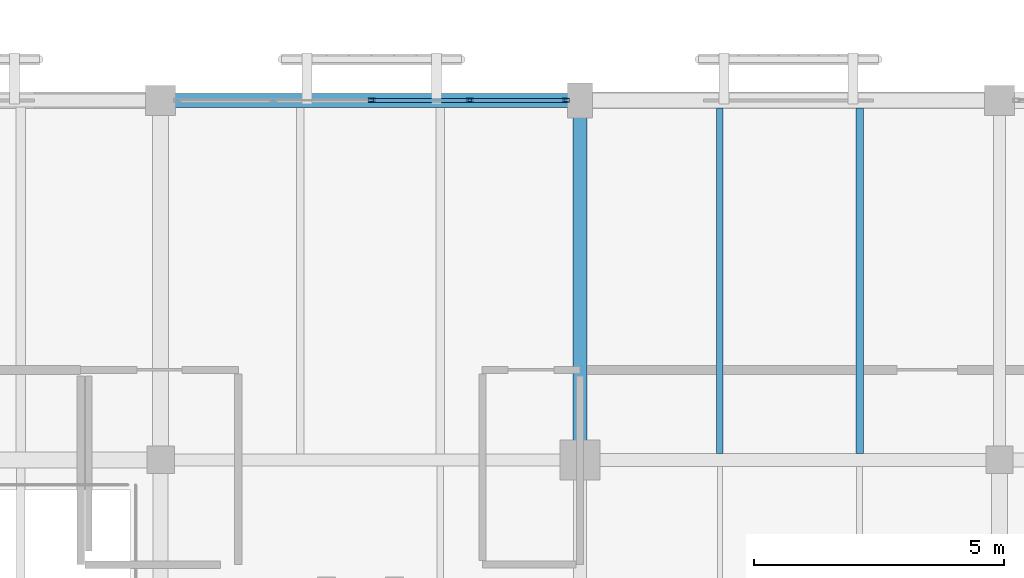
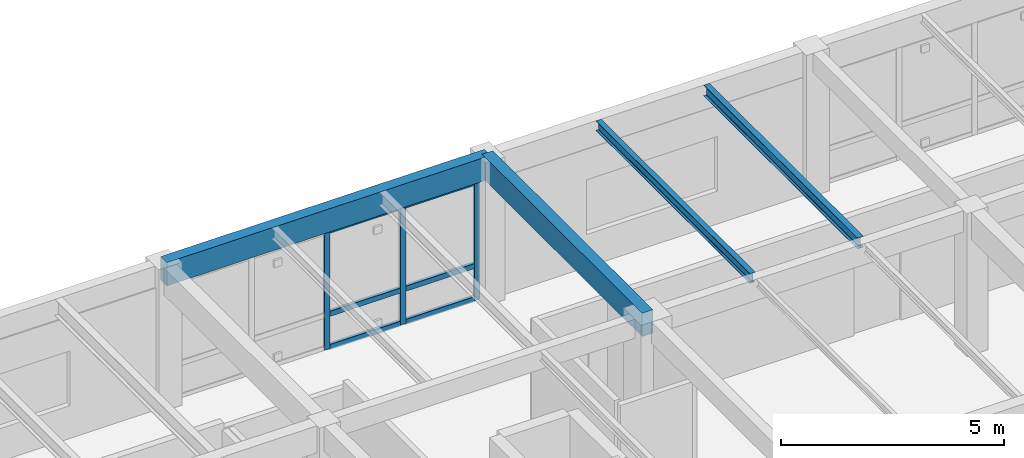
# One storey, part 52 of 170: 9 members, 4 beams, 1 element without a shape of its own.
"""IFC4 building model written with IfcOpenShell, lengths in metres."""

from ifc_helpers import new_model, si_unit, direction, frame, origin, origin_2d, place, context, subcontext, project, spatial, rectangle, hollow_rectangle, i_section, extrude, material, layer, layer_set, material_profile, profile_set, type_object, element, aggregate, save


model = new_model("IFC4")

# Units and contexts
model_context = context("Model", 3, precision=1e-05, world=origin(), true_north=direction((0.0, 1.0)))
body_context = subcontext(model_context, "Body", "Model", "MODEL_VIEW")
ifc_project = project(units=[si_unit("LENGTHUNIT", "METRE"), si_unit("AREAUNIT", "SQUARE_METRE"), si_unit("VOLUMEUNIT", "CUBIC_METRE"), si_unit("PLANEANGLEUNIT", "RADIAN"), si_unit("MASSUNIT", "GRAM", prefix="KILO")], contexts=[model_context])

# Site, building, storey
site_placement = place(None, origin())
site = spatial("IfcSite", under=ifc_project, at=site_placement, CompositionType="ELEMENT")
building_placement = place(site_placement, origin())
building = spatial("IfcBuilding", under=site, at=building_placement, Name="Mazaris Harbour Polytechnic", CompositionType="ELEMENT")
storey_placement = place(building_placement, frame((0.0, 0.0, 5.39990234375)))
storey = spatial("IfcBuildingStorey", under=building, at=storey_placement, Name="L01", CompositionType="ELEMENT", Elevation=5.39990234375)

# Curtain wall, members
ifc_material_1 = material(Name="Anodised Bronze Aluminium and Low-E Glass", Category="aluminium")
ifc_layer = layer(ifc_material_1, 0.159912109375, Name="Anodised Bronze Aluminium and Low-E Glass")
ifc_layer_set = layer_set([ifc_layer], Name="Anodised Bronze Aluminium and Low-E Glass")
curtain_wall_type = type_object("IfcCurtainWallType", Name="Cloister Court Curtain Wall", PredefinedType="NOTDEFINED", material=ifc_layer_set)
curtain_wall_placement = place(storey_placement, origin())
curtain_wall = element("IfcCurtainWall", 1, at=curtain_wall_placement, inside=storey, type_object=curtain_wall_type, Name="V3 L01 Curtain Wall 76", PredefinedType="NOTDEFINED")
ifc_material_2 = material(Name="Anodised Bronze Steel S355", Category="steel")
ifc_material_profile_1 = material_profile(ifc_material_2, hollow_rectangle(XDim=0.080078125, YDim=0.139892578125, WallThickness=0.00634765625, at=origin_2d()), Name="RHS 80x140x6.3")
ifc_profile_set_1 = profile_set([ifc_material_profile_1], Name="Anodised Bronze Steel S355")
member_type_1 = type_object("IfcMemberType", Name="Curtain Mullion RHS80x140", PredefinedType="MULLION", material=ifc_profile_set_1)
member_1_placement = place(storey_placement, frame((75.02490234375, 36.0, 0.0), z_axis=(0.0, 0.0, 1.0), x_axis=(0.0, 1.0, 0.0)))
member_1 = element("IfcMember", 2, at=member_1_placement, type_object=member_type_1, Name="CW-02 mullion 3", PredefinedType="MULLION", context=body_context, shape_type="SweptSolid", body=[
    extrude(hollow_rectangle(XDim=0.080078125, YDim=0.139892578125, WallThickness=0.00634765625, at=origin_2d()), origin(), (0.0, 0.0, 1.0), 3.27001953125),
])
member_2_placement = place(storey_placement, frame((76.991455078125, 36.0, 0.0), z_axis=(0.0, 0.0, 1.0), x_axis=(0.0, 1.0, 0.0)))
member_2 = element("IfcMember", 3, at=member_2_placement, type_object=member_type_1, Name="CW-02 mullion 4", PredefinedType="MULLION", context=body_context, shape_type="SweptSolid", body=[
    extrude(hollow_rectangle(XDim=0.080078125, YDim=0.139892578125, WallThickness=0.00634765625, at=origin_2d()), origin(), (0.0, 0.0, 1.0), 3.27001953125),
])
member_3_placement = place(storey_placement, frame((78.91796875, 36.0, 0.0), z_axis=(0.0, 0.0, 1.0), x_axis=(0.0, 1.0, 0.0)))
member_3 = element("IfcMember", 4, at=member_3_placement, type_object=member_type_1, Name="CW-02 mullion 5", PredefinedType="MULLION", context=body_context, shape_type="SweptSolid", body=[
    extrude(hollow_rectangle(XDim=0.080078125, YDim=0.139892578125, WallThickness=0.00634765625, at=origin_2d()), origin(), (0.0, 0.0, 1.0), 3.27001953125),
])
ifc_material_3 = material(Name="Anodised Bronze Steel S355", Category="steel")
ifc_material_profile_2 = material_profile(ifc_material_3, hollow_rectangle(XDim=0.080078125, YDim=0.139892578125, WallThickness=0.00634765625, at=origin_2d()), Name="RHS 80x140x6.3")
ifc_profile_set_2 = profile_set([ifc_material_profile_2], Name="Anodised Bronze Steel S355")
member_type_2 = type_object("IfcMemberType", Name="Curtain Transom RHS80x140", PredefinedType="USERDEFINED", material=ifc_profile_set_2)
member_4_placement = place(storey_placement, frame((75.06494140625, 36.0, 0.0400390625), z_axis=(1.0, 0.0, 0.0), x_axis=(0.0, 1.0, 0.0)))
member_4 = element("IfcMember", 5, at=member_4_placement, type_object=member_type_2, Name="CW-02 transom 3.1", ObjectType="TRANSOM", PredefinedType="USERDEFINED", context=body_context, shape_type="SweptSolid", body=[
    extrude(hollow_rectangle(XDim=0.080078125, YDim=0.139892578125, WallThickness=0.00634765625, at=origin_2d()), origin(), (0.0, 0.0, 1.0), 1.886474609375),
])
member_5_placement = place(storey_placement, frame((75.06494140625, 36.0, 0.9501953125), z_axis=(1.0, 0.0, 0.0), x_axis=(0.0, 1.0, 0.0)))
member_5 = element("IfcMember", 6, at=member_5_placement, type_object=member_type_2, Name="CW-02 transom 3.2", ObjectType="TRANSOM", PredefinedType="USERDEFINED", context=body_context, shape_type="SweptSolid", body=[
    extrude(hollow_rectangle(XDim=0.080078125, YDim=0.139892578125, WallThickness=0.00634765625, at=origin_2d()), origin(), (0.0, 0.0, 1.0), 1.886474609375),
])
member_6_placement = place(storey_placement, frame((75.06494140625, 36.0, 3.22998046875), z_axis=(1.0, 0.0, 0.0), x_axis=(0.0, 1.0, 0.0)))
member_6 = element("IfcMember", 7, at=member_6_placement, type_object=member_type_2, Name="CW-02 transom 3.3", ObjectType="TRANSOM", PredefinedType="USERDEFINED", context=body_context, shape_type="SweptSolid", body=[
    extrude(hollow_rectangle(XDim=0.080078125, YDim=0.139892578125, WallThickness=0.00634765625, at=origin_2d()), origin(), (0.0, 0.0, 1.0), 1.886474609375),
])
member_7_placement = place(storey_placement, frame((77.031494140625, 36.0, 0.0400390625), z_axis=(1.0, 0.0, 0.0), x_axis=(0.0, 1.0, 0.0)))
member_7 = element("IfcMember", 8, at=member_7_placement, type_object=member_type_2, Name="CW-02 transom 4.1", ObjectType="TRANSOM", PredefinedType="USERDEFINED", context=body_context, shape_type="SweptSolid", body=[
    extrude(hollow_rectangle(XDim=0.080078125, YDim=0.139892578125, WallThickness=0.00634765625, at=origin_2d()), origin(), (0.0, 0.0, 1.0), 1.846435546875),
])
member_8_placement = place(storey_placement, frame((77.031494140625, 36.0, 0.9501953125), z_axis=(1.0, 0.0, 0.0), x_axis=(0.0, 1.0, 0.0)))
member_8 = element("IfcMember", 9, at=member_8_placement, type_object=member_type_2, Name="CW-02 transom 4.2", ObjectType="TRANSOM", PredefinedType="USERDEFINED", context=body_context, shape_type="SweptSolid", body=[
    extrude(hollow_rectangle(XDim=0.080078125, YDim=0.139892578125, WallThickness=0.00634765625, at=origin_2d()), origin(), (0.0, 0.0, 1.0), 1.846435546875),
])
member_9_placement = place(storey_placement, frame((77.031494140625, 36.0, 3.22998046875), z_axis=(1.0, 0.0, 0.0), x_axis=(0.0, 1.0, 0.0)))
member_9 = element("IfcMember", 10, at=member_9_placement, type_object=member_type_2, Name="CW-02 transom 4.3", ObjectType="TRANSOM", PredefinedType="USERDEFINED", context=body_context, shape_type="SweptSolid", body=[
    extrude(hollow_rectangle(XDim=0.080078125, YDim=0.139892578125, WallThickness=0.00634765625, at=origin_2d()), origin(), (0.0, 0.0, 1.0), 1.846435546875),
])
aggregate(curtain_wall, [member_1, member_2, member_3, member_4, member_5, member_6, member_7, member_8, member_9])

# Beams
ifc_material_4 = material(Name="Glulam GL32h", Category="wood")
ifc_material_profile_3 = material_profile(ifc_material_4, rectangle(XDim=0.280029296875, YDim=0.639892578125, at=origin_2d()), Name="RECT280x640")
ifc_profile_set_3 = profile_set([ifc_material_profile_3], Name="Glulam GL32h")
beam_type_1 = type_object("IfcBeamType", Name="Glulam Girder 280x640", PredefinedType="BEAM", material=ifc_profile_set_3)
beam_1_placement = place(storey_placement, frame((79.199951171875, 28.800048828125, 3.60009765625), z_axis=(0.0, 1.0, 0.0), x_axis=(-1.0, 0.0, 0.0)))
element("IfcBeam", 11, at=beam_1_placement, inside=storey, type_object=beam_type_1, Name="V3 L01 Tie Girder 1007", PredefinedType="BEAM", context=body_context, shape_type="SweptSolid", body=[
    extrude(rectangle(XDim=0.280029296875, YDim=0.639892578125, at=origin_2d()), origin(), (0.0, 0.0, 1.0), 7.199951171875),
])
ifc_material_5 = material(Name="Glulam GL32h", Category="wood")
ifc_material_profile_4 = material_profile(ifc_material_5, rectangle(XDim=0.280029296875, YDim=0.639892578125, at=origin_2d()), Name="RECT280x640")
ifc_profile_set_4 = profile_set([ifc_material_profile_4], Name="Glulam GL32h")
beam_type_2 = type_object("IfcBeamType", Name="Glulam Girder 280x640 Exterior", PredefinedType="BEAM", material=ifc_profile_set_4)
beam_2_placement = place(storey_placement, frame((70.800048828125, 36.0, 3.60009765625), z_axis=(1.0, 0.0, 0.0), x_axis=(0.0, 1.0, 0.0)))
element("IfcBeam", 12, at=beam_2_placement, inside=storey, type_object=beam_type_2, Name="V3 L01 Girder 992", PredefinedType="BEAM", context=body_context, shape_type="SweptSolid", body=[
    extrude(rectangle(XDim=0.280029296875, YDim=0.639892578125, at=origin_2d()), origin(), (0.0, 0.0, 1.0), 8.39990234375),
])
ifc_material_6 = material(Name="Steel S355", Category="steel")
ifc_material_profile_5 = material_profile(ifc_material_6, i_section(OverallWidth=0.135009765625, OverallDepth=0.27001953125, WebThickness=0.006591796875, FlangeThickness=0.01025390625, FilletRadius=0.014892578125, at=origin_2d()), Name="IPE 270")
ifc_profile_set_5 = profile_set([ifc_material_profile_5], Name="Steel S355")
beam_type_3 = type_object("IfcBeamType", Name="Steel Joist IPE270", PredefinedType="JOIST", material=ifc_profile_set_5)
beam_3_placement = place(storey_placement, frame((82.0, 28.929931640625, 3.78515625), z_axis=(0.0, 1.0, 0.0), x_axis=(-1.0, 0.0, 0.0)))
element("IfcBeam", 13, at=beam_3_placement, inside=storey, type_object=beam_type_3, Name="V3 L01 Floor Joist 1038", PredefinedType="JOIST", context=body_context, shape_type="SweptSolid", body=[
    extrude(i_section(OverallWidth=0.135009765625, OverallDepth=0.27001953125, WebThickness=0.006591796875, FlangeThickness=0.01025390625, FilletRadius=0.014892578125, at=origin_2d()), origin(), (0.0, 0.0, 1.0), 6.920166015625),
])
ifc_material_7 = material(Name="Steel S355", Category="steel")
ifc_material_profile_6 = material_profile(ifc_material_7, i_section(OverallWidth=0.14990234375, OverallDepth=0.300048828125, WebThickness=0.007080078125, FlangeThickness=0.0107421875, FilletRadius=0.014892578125, at=origin_2d()), Name="IPE 300")
ifc_profile_set_6 = profile_set([ifc_material_profile_6], Name="Steel S355")
beam_type_4 = type_object("IfcBeamType", Name="Steel Joist IPE300", PredefinedType="JOIST", material=ifc_profile_set_6)
beam_4_placement = place(storey_placement, frame((84.800048828125, 28.929931640625, 3.77001953125), z_axis=(0.0, 1.0, 0.0), x_axis=(-1.0, 0.0, 0.0)))
element("IfcBeam", 14, at=beam_4_placement, inside=storey, type_object=beam_type_4, Name="V3 L01 Floor Joist 1039", PredefinedType="JOIST", context=body_context, shape_type="SweptSolid", body=[
    extrude(i_section(OverallWidth=0.14990234375, OverallDepth=0.300048828125, WebThickness=0.007080078125, FlangeThickness=0.0107421875, FilletRadius=0.014892578125, at=origin_2d()), origin(), (0.0, 0.0, 1.0), 6.920166015625),
])

save(model, "model.ifc")
